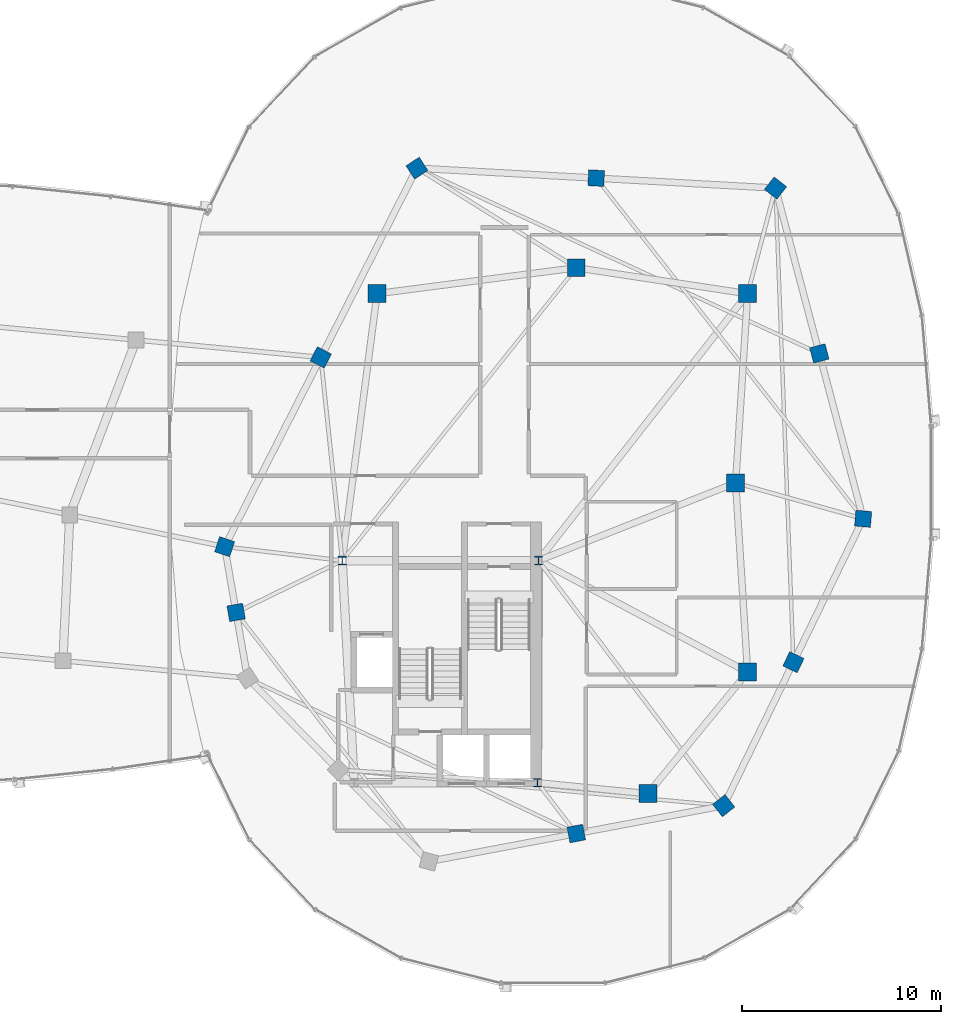
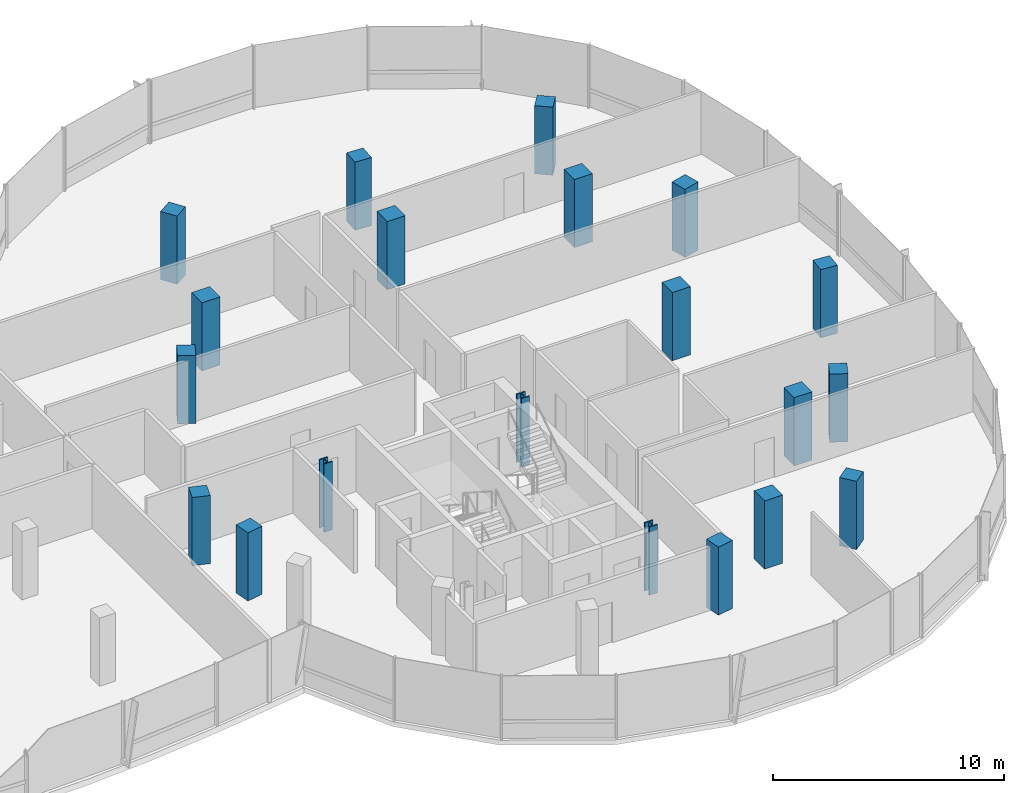
# One storey, part 2 of 25: 20 columns.
"""IFC4 building model written with IfcOpenShell, lengths in metres."""

from ifc_helpers import new_model, si_unit, direction, frame, origin, origin_2d, place, context, subcontext, project, spatial, rectangle, i_section, extrude, material, material_profile, profile_set, type_object, element, save


model = new_model("IFC4")

# Units and contexts
model_context = context("Model", 3, precision=1e-05, world=origin(), true_north=direction((0.0, 1.0)))
body_context = subcontext(model_context, "Body", "Model", "MODEL_VIEW")
ifc_project = project(units=[si_unit("LENGTHUNIT", "METRE"), si_unit("AREAUNIT", "SQUARE_METRE"), si_unit("VOLUMEUNIT", "CUBIC_METRE"), si_unit("PLANEANGLEUNIT", "RADIAN"), si_unit("MASSUNIT", "GRAM", prefix="KILO"), si_unit("THERMODYNAMICTEMPERATUREUNIT", "KELVIN"), si_unit("POWERUNIT", "WATT")], contexts=[model_context])

# Site, building, storey
site_placement = place(None, origin())
site = spatial("IfcSite", under=ifc_project, at=site_placement, CompositionType="ELEMENT")
building_placement = place(site_placement, origin())
building = spatial("IfcBuilding", under=site, at=building_placement, Name="Cundina Bronze Exchange", CompositionType="ELEMENT")
storey_placement = place(building_placement, frame((0.0, 0.0, 246.800048828125)))
storey = spatial("IfcBuildingStorey", under=building, at=storey_placement, Name="L65", CompositionType="ELEMENT", Elevation=246.800048828125)

# Columns
ifc_material_1 = material(Name="Concrete C50/60", Category="concrete")
ifc_material_profile_1 = material_profile(ifc_material_1, rectangle(XDim=0.800048828125, YDim=0.800048828125, at=origin_2d()), Name="RC800X800", Category="concrete")
ifc_profile_set_1 = profile_set([ifc_material_profile_1], Name="Concrete C50/60")
column_type_1 = type_object("IfcColumnType", Name="COL-BRG-800", PredefinedType="COLUMN", material=ifc_profile_set_1)
for number, where, z_axis, x_axis, name in (
    (1, (15.550048828125, -3.199951171875, 0.0), (0.0, 0.0, 1.0), (-0.315152163383, -0.949041155016, 0.0), "L65 E Perimeter Column 00"),
    (2, (16.125, -6.5, 0.0), (0.0, 0.0, 1.0), (0.171585221787, -0.985169280715, 0.0), "L65 E Perimeter Column 01"),
    (3, (33.199951171875, -17.60009765625, 0.0), (0.0, 0.0, 1.0), (0.98258037664, 0.185838110843, 0.0), "L65 E Perimeter Column 05"),
    (4, (40.60009765625, -16.199951171875, 0.0), (0.0, 0.0, 1.0), (0.785100778485, 0.619368038909, 0.0), "L65 E Perimeter Column 06"),
    (5, (44.10009765625, -9.0, 0.0), (0.0, 0.0, 1.0), (0.437115766651, 0.899405251566, 0.0), "L65 E Perimeter Column 07"),
    (6, (47.60009765625, -1.800048828125, 0.0), (0.0, 0.0, 1.0), (0.083503921245, 0.996507448611, 0.0), "L65 E Perimeter Column 08"),
    (7, (45.39990234375, 6.5, 0.0), (0.0, 0.0, 1.0), (-0.256289373133, 0.966600102017, 0.0), "L65 E Perimeter Column 09"),
    (8, (43.199951171875, 14.800048828125, 0.0), (0.0, 0.0, 1.0), (-0.786288432137, 0.61785961309, 0.0), "L65 E Perimeter Column 10"),
    (9, (34.199951171875, 15.300048828125, 0.0), (0.0, 0.0, 1.0), (-0.998460188734, 0.055472980025, 0.0), "L65 E Perimeter Column 11"),
    (10, (25.199951171875, 15.800048828125, 0.0), (0.0, 0.0, 1.0), (-0.838099763533, -0.545516989988, 0.0), "L65 E Perimeter Column 12"),
    (11, (20.375, 6.300048828125, 0.0), (0.0, 0.0, 1.0), (-0.452901591366, -0.891560513111, 0.0), "L65 E Perimeter Column 13"),
):
    element("IfcColumn", number, at=place(storey_placement, frame(where, z_axis=z_axis, x_axis=x_axis)), inside=storey, type_object=column_type_1, Name=name, PredefinedType="COLUMN", context=body_context, shape_type="SweptSolid", body=[
        extrude(rectangle(XDim=0.800048828125, YDim=0.800048828125, at=origin_2d()), origin(), (0.0, 0.0, 1.0), 3.599853515625),
    ])
ifc_material_2 = material(Name="Steel ASTM A992 Grade 50", Category="steel")
ifc_material_profile_2 = material_profile(ifc_material_2, i_section(OverallWidth=0.416015625, OverallDepth=0.446044921875, WebThickness=0.0390625, FlangeThickness=0.062744140625, FilletRadius=0.01806640625, at=origin_2d()), Name="W14X342", Category="steel")
ifc_profile_set_2 = profile_set([ifc_material_profile_2], Name="Steel ASTM A992 Grade 50")
column_type_2 = type_object("IfcColumnType", Name="COL-STL-W14B", PredefinedType="COLUMN", material=ifc_profile_set_2)
for number, where, z_axis, x_axis, name in (
    (12, (31.300048828125, -3.89990234375, 0.0), (0.0, 0.0, 1.0), (1.0, 0.0, 0.0), "L65 Core Anchor Column E1"),
    (13, (21.449951171875, -3.89990234375, 0.0), (0.0, 0.0, 1.0), (1.0, 0.0, 0.0), "L65 Core Anchor Column E2"),
    (14, (31.25, -15.050048828125, 0.0), (0.0, 0.0, 1.0), (1.0, 0.0, 0.0), "L65 Core Anchor Column E4"),
):
    element("IfcColumn", number, at=place(storey_placement, frame(where, z_axis=z_axis, x_axis=x_axis)), inside=storey, type_object=column_type_2, Name=name, PredefinedType="COLUMN", context=body_context, shape_type="SweptSolid", body=[
        extrude(i_section(OverallWidth=0.416015625, OverallDepth=0.446044921875, WebThickness=0.0390625, FlangeThickness=0.062744140625, FilletRadius=0.01806640625, at=origin_2d()), origin(), (0.0, 0.0, 1.0), 3.599853515625),
    ])
ifc_material_profile_3 = material_profile(ifc_material_1, rectangle(XDim=0.89990234375, YDim=0.89990234375, at=origin_2d()), Name="RC900X900", Category="concrete")
ifc_profile_set_3 = profile_set([ifc_material_profile_3], Name="Concrete C50/60")
column_type_3 = type_object("IfcColumnType", Name="COL-Z4-900", PredefinedType="COLUMN", material=ifc_profile_set_3)
for number, where, z_axis, x_axis, name in (
    (15, (41.199951171875, 0.0, 0.0), (0.0, 0.0, 1.0), (1.0, 0.0, 0.0), "L65 E Inner Ring Column 1"),
    (16, (41.800048828125, -9.5, 0.0), (0.0, 0.0, 1.0), (1.0, 0.0, 0.0), "L65 E Inner Ring Column 2"),
    (17, (36.800048828125, -15.60009765625, 0.0), (0.0, 0.0, 1.0), (1.0, 0.0, 0.0), "L65 E Inner Ring Column 3"),
    (18, (41.800048828125, 9.5, 0.0), (0.0, 0.0, 1.0), (1.0, 0.0, 0.0), "L65 E Inner Ring Column 4"),
    (19, (33.199951171875, 10.800048828125, 0.0), (0.0, 0.0, 1.0), (1.0, 0.0, 0.0), "L65 E Inner Ring Column 5"),
    (20, (23.199951171875, 9.5, 0.0), (0.0, 0.0, 1.0), (1.0, 0.0, 0.0), "L65 E Inner Ring Column 6"),
):
    element("IfcColumn", number, at=place(storey_placement, frame(where, z_axis=z_axis, x_axis=x_axis)), inside=storey, type_object=column_type_3, Name=name, PredefinedType="COLUMN", context=body_context, shape_type="SweptSolid", body=[
        extrude(rectangle(XDim=0.89990234375, YDim=0.89990234375, at=origin_2d()), origin(), (0.0, 0.0, 1.0), 3.599853515625),
    ])

save(model, "model.ifc")
